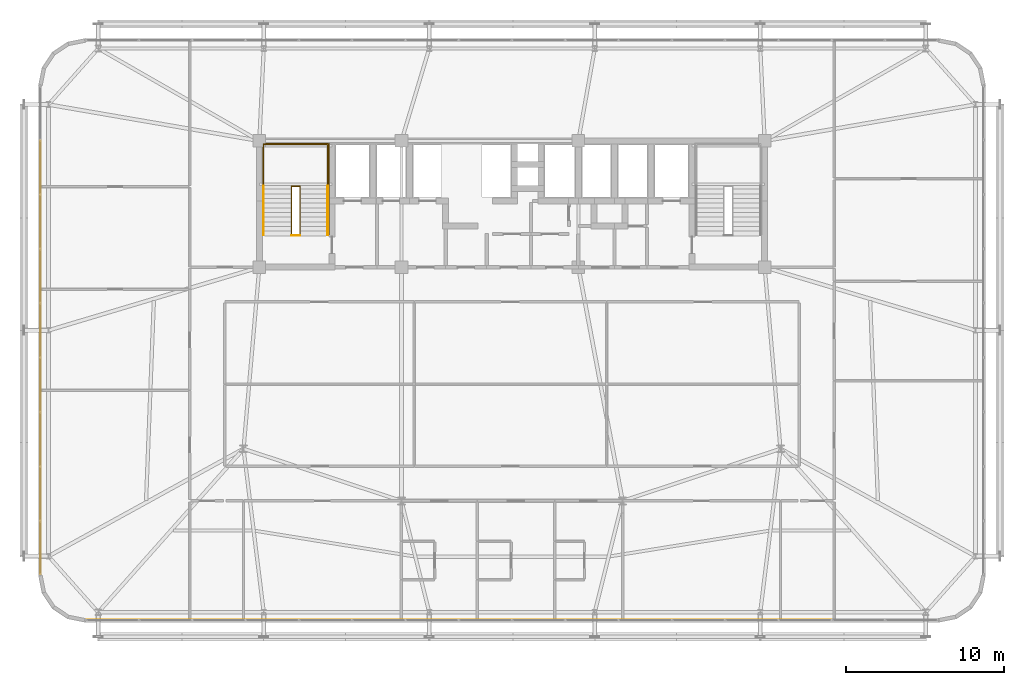
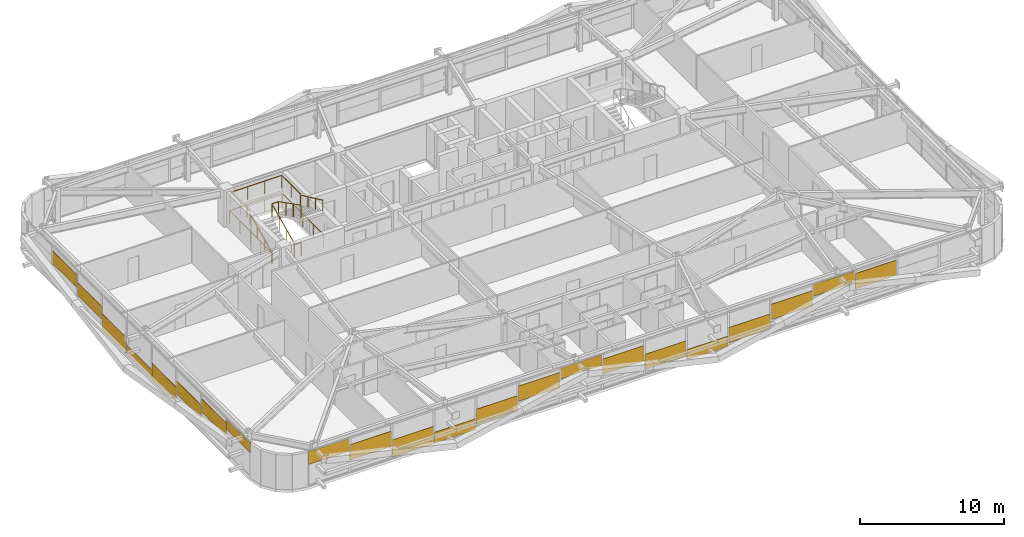
# One storey, part 57 of 59: 22 coverings, 6 railings.
"""IFC4 building model written with IfcOpenShell, lengths in metres."""

from ifc_helpers import new_model, si_unit, direction, frame, origin, origin_2d, place, context, subcontext, project, spatial, rectangle, extrude, source, transform, mapped, material, layer, layer_set, type_object, element, save


model = new_model("IFC4")

# Units and contexts
model_context = context("Model", 3, precision=1e-05, world=origin(), true_north=direction((0.0, 1.0)))
body_context = subcontext(model_context, "Body", "Model", "MODEL_VIEW")
ifc_project = project(units=[si_unit("LENGTHUNIT", "METRE"), si_unit("AREAUNIT", "SQUARE_METRE"), si_unit("VOLUMEUNIT", "CUBIC_METRE"), si_unit("PLANEANGLEUNIT", "RADIAN"), si_unit("MASSUNIT", "GRAM", prefix="KILO")], contexts=[model_context])

# Site, building, storey
site_placement = place(None, origin())
site = spatial("IfcSite", under=ifc_project, at=site_placement, CompositionType="ELEMENT")
building_placement = place(site_placement, origin())
building = spatial("IfcBuilding", under=site, at=building_placement, Name="Taldren Reach Tower", CompositionType="ELEMENT")
storey_placement = place(building_placement, frame((0.0, 0.0, 45.14990234375)))
storey = spatial("IfcBuildingStorey", under=building, at=storey_placement, Name="L13", CompositionType="ELEMENT", Elevation=45.14990234375)

# Railings
ifc_material_1 = material(Name="Steel Gr 350 (C350L0)", Category="steel")
ifc_layer_1 = layer(ifc_material_1, 0.050048828125)
ifc_layer_set_1 = layer_set([ifc_layer_1], Name="Steel Gr 350 (C350L0)")
railing_type_1 = type_object("IfcRailingType", Name="RL-STAIR-GR", PredefinedType="GUARDRAIL", material=ifc_layer_set_1)
railing_1_placement = place(storey_placement, frame((19.260009765625, 29.135009765625, 1.5751953125)))
element("IfcRailing", 1, at=railing_1_placement, inside=storey, type_object=railing_type_1, Name="Stair half-landing perimeter guard ST1-L13", PredefinedType="GUARDRAIL", context=body_context, shape_type="SweptSolid", body=[
    extrude(rectangle(XDim=0.047852, YDim=0.047852, at=origin_2d()), frame((0.0, 0.0, 1.09619140625), z_axis=(0.0, 1.0, 0.0), x_axis=(-1.0, 0.0, 0.0)), (0.0, 0.0, 1.0), 2.64501953125),
    extrude(rectangle(XDim=0.047852, YDim=0.047852, at=origin_2d()), frame((0.0, 2.64501953125, 1.09619140625), z_axis=(1.0, 0.0, 0.0), x_axis=(0.0, 1.0, 0.0)), (0.0, 0.0, 1.0), 4.080078125),
    extrude(rectangle(XDim=0.047852, YDim=0.047852, at=origin_2d()), frame((4.080078125, 2.64501953125, 1.09619140625), z_axis=(0.0, -1.0, 0.0), x_axis=(1.0, 0.0, 0.0)), (0.0, 0.0, 1.0), 2.64501953125),
    extrude(rectangle(XDim=0.041992, YDim=0.041992, at=origin_2d()), origin(), (0.0, 0.0, 1.0), 1.072021484375),
    extrude(rectangle(XDim=0.041992, YDim=0.041992, at=origin_2d()), frame((0.0, 1.322509765625, 0.0)), (0.0, 0.0, 1.0), 1.072021484375),
    extrude(rectangle(XDim=0.041992, YDim=0.041992, at=origin_2d()), frame((0.0, 2.64501953125, 0.0)), (0.0, 0.0, 1.0), 1.072021484375),
    extrude(rectangle(XDim=0.041992, YDim=0.041992, at=origin_2d()), frame((1.360107421875, 2.64501953125, 0.0)), (0.0, 0.0, 1.0), 1.072021484375),
    extrude(rectangle(XDim=0.041992, YDim=0.041992, at=origin_2d()), frame((2.719970703125, 2.64501953125, 0.0)), (0.0, 0.0, 1.0), 1.072021484375),
    extrude(rectangle(XDim=0.041992, YDim=0.041992, at=origin_2d()), frame((4.080078125, 2.64501953125, 0.0)), (0.0, 0.0, 1.0), 1.072021484375),
    extrude(rectangle(XDim=0.041992, YDim=0.041992, at=origin_2d()), frame((4.080078125, 1.322509765625, 0.0)), (0.0, 0.0, 1.0), 1.072021484375),
    extrude(rectangle(XDim=0.041992, YDim=0.041992, at=origin_2d()), frame((4.080078125, 0.0, 0.0)), (0.0, 0.0, 1.0), 1.072021484375),
])
railing_2_placement = place(storey_placement, frame((21.030029296875, 26.050048828125, 0.13134765625)))
element("IfcRailing", 2, at=railing_2_placement, inside=storey, type_object=railing_type_1, Name="Stairwell inner guard ST1-L13", PredefinedType="GUARDRAIL", context=body_context, shape_type="SweptSolid", body=[
    extrude(rectangle(XDim=0.047852, YDim=0.047852, at=origin_2d()), frame((0.0, 0.0, 1.09619140625), z_axis=(0.0, 0.905710134349, 0.423897573167), x_axis=(-1.0, 0.0, 0.0)), (0.0, 0.0, 1.0), 3.406005859375),
    extrude(rectangle(XDim=0.047852, YDim=0.047852, at=origin_2d()), frame((0.0, 3.0849609375, 2.5400390625), z_axis=(1.0, 0.0, 0.0), x_axis=(0.0, 1.0, 0.0)), (0.0, 0.0, 1.0), 0.5400390625),
    extrude(rectangle(XDim=0.047852, YDim=0.047852, at=origin_2d()), frame((0.5400390625, 3.0849609375, 2.5400390625), z_axis=(0.0, -0.890645957773, 0.45469745755), x_axis=(1.0, 0.0, 0.0)), (0.0, 0.0, 1.0), 3.463623046875),
    extrude(rectangle(XDim=0.041992, YDim=0.041992, at=origin_2d()), origin(), (0.0, 0.0, 1.0), 1.072021484375),
    extrude(rectangle(XDim=0.041992, YDim=0.041992, at=origin_2d()), frame((0.0, 1.0283203125, 0.481201171875)), (0.0, 0.0, 1.0), 1.072021484375),
    extrude(rectangle(XDim=0.041992, YDim=0.041992, at=origin_2d()), frame((0.0, 2.056640625, 0.962646484375)), (0.0, 0.0, 1.0), 1.072021484375),
    extrude(rectangle(XDim=0.041992, YDim=0.041992, at=origin_2d()), frame((0.0, 3.0849609375, 1.44384765625)), (0.0, 0.0, 1.0), 1.072021484375),
    extrude(rectangle(XDim=0.041992, YDim=0.041992, at=origin_2d()), frame((0.5400390625, 3.0849609375, 1.44384765625)), (0.0, 0.0, 1.0), 1.072021484375),
    extrude(rectangle(XDim=0.041992, YDim=0.041992, at=origin_2d()), frame((0.5400390625, 2.056640625, 1.96875)), (0.0, 0.0, 1.0), 1.072021484375),
    extrude(rectangle(XDim=0.041992, YDim=0.041992, at=origin_2d()), frame((0.5400390625, 1.0283203125, 2.493896484375)), (0.0, 0.0, 1.0), 1.072021484375),
    extrude(rectangle(XDim=0.041992, YDim=0.041992, at=origin_2d()), frame((0.5400390625, 0.0, 3.018798828125)), (0.0, 0.0, 1.0), 1.072021484375),
])
railing_3_placement = place(storey_placement, frame((21.030029296875, 26.010009765625, 0.0)))
element("IfcRailing", 3, at=railing_3_placement, inside=storey, type_object=railing_type_1, Name="Stairwell landing slot guard ST1-L13", PredefinedType="GUARDRAIL", context=body_context, shape_type="SweptSolid", body=[
    extrude(rectangle(XDim=0.047852, YDim=0.047852, at=origin_2d()), frame((0.0, 0.0, 1.09619140625), z_axis=(1.0, 0.0, 0.0), x_axis=(0.0, 1.0, 0.0)), (0.0, 0.0, 1.0), 0.5400390625),
    extrude(rectangle(XDim=0.041992, YDim=0.041992, at=origin_2d()), origin(), (0.0, 0.0, 1.0), 1.072021484375),
    extrude(rectangle(XDim=0.041992, YDim=0.041992, at=origin_2d()), frame((0.5400390625, 0.0, 0.0)), (0.0, 0.0, 1.0), 1.072021484375),
])
railing_4_placement = place(storey_placement, frame((19.18994140625, 26.050048828125, 0.0)))
element("IfcRailing", 4, at=railing_4_placement, inside=storey, type_object=railing_type_1, Name="Stairwell floor opening guard ST1-L13", PredefinedType="GUARDRAIL", context=body_context, shape_type="SweptSolid", body=[
    extrude(rectangle(XDim=0.047852, YDim=0.047852, at=origin_2d()), frame((0.0, 0.0, 1.09619140625), z_axis=(0.0, 1.0, 0.0), x_axis=(-1.0, 0.0, 0.0)), (0.0, 0.0, 1.0), 5.800048828125),
    extrude(rectangle(XDim=0.047852, YDim=0.047852, at=origin_2d()), frame((0.0, 5.800048828125, 1.09619140625), z_axis=(1.0, 0.0, 0.0), x_axis=(0.0, 1.0, 0.0)), (0.0, 0.0, 1.0), 4.219970703125),
    extrude(rectangle(XDim=0.047852, YDim=0.047852, at=origin_2d()), frame((4.219970703125, 5.800048828125, 1.09619140625), z_axis=(0.0, -1.0, 0.0), x_axis=(1.0, 0.0, 0.0)), (0.0, 0.0, 1.0), 5.800048828125),
    extrude(rectangle(XDim=0.041992, YDim=0.041992, at=origin_2d()), origin(), (0.0, 0.0, 1.0), 1.072021484375),
    extrude(rectangle(XDim=0.041992, YDim=0.041992, at=origin_2d()), frame((0.0, 1.449951171875, 0.0)), (0.0, 0.0, 1.0), 1.072021484375),
    extrude(rectangle(XDim=0.041992, YDim=0.041992, at=origin_2d()), frame((0.0, 2.89990234375, 0.0)), (0.0, 0.0, 1.0), 1.072021484375),
    extrude(rectangle(XDim=0.041992, YDim=0.041992, at=origin_2d()), frame((0.0, 4.35009765625, 0.0)), (0.0, 0.0, 1.0), 1.072021484375),
    extrude(rectangle(XDim=0.041992, YDim=0.041992, at=origin_2d()), frame((0.0, 5.800048828125, 0.0)), (0.0, 0.0, 1.0), 1.072021484375),
    extrude(rectangle(XDim=0.041992, YDim=0.041992, at=origin_2d()), frame((1.40673828125, 5.800048828125, 0.0)), (0.0, 0.0, 1.0), 1.072021484375),
    extrude(rectangle(XDim=0.041992, YDim=0.041992, at=origin_2d()), frame((2.813232421875, 5.800048828125, 0.0)), (0.0, 0.0, 1.0), 1.072021484375),
    extrude(rectangle(XDim=0.041992, YDim=0.041992, at=origin_2d()), frame((4.219970703125, 5.800048828125, 0.0)), (0.0, 0.0, 1.0), 1.072021484375),
    extrude(rectangle(XDim=0.041992, YDim=0.041992, at=origin_2d()), frame((4.219970703125, 4.35009765625, 0.0)), (0.0, 0.0, 1.0), 1.072021484375),
    extrude(rectangle(XDim=0.041992, YDim=0.041992, at=origin_2d()), frame((4.219970703125, 2.89990234375, 0.0)), (0.0, 0.0, 1.0), 1.072021484375),
    extrude(rectangle(XDim=0.041992, YDim=0.041992, at=origin_2d()), frame((4.219970703125, 1.449951171875, 0.0)), (0.0, 0.0, 1.0), 1.072021484375),
    extrude(rectangle(XDim=0.041992, YDim=0.041992, at=origin_2d()), frame((4.219970703125, 0.0, 0.0)), (0.0, 0.0, 1.0), 1.072021484375),
])
ifc_material_2 = material(Name="Stainless Steel Gr 316", Category="steel")
ifc_layer_2 = layer(ifc_material_2, 0.048095703125)
ifc_layer_set_2 = layer_set([ifc_layer_2], Name="Stainless Steel Gr 316")
railing_type_2 = type_object("IfcRailingType", Name="RL-STAIR-HR", PredefinedType="HANDRAIL", material=ifc_layer_set_2)
railing_5_placement = place(storey_placement, frame((19.27001953125, 26.050048828125, 0.13134765625)))
element("IfcRailing", 5, at=railing_5_placement, inside=storey, type_object=railing_type_2, Name="Stair flight handrail ST1-L13-1", PredefinedType="HANDRAIL", context=body_context, shape_type="SweptSolid", body=[
    extrude(rectangle(XDim=0.047852, YDim=0.047852, at=origin_2d()), frame((0.0, 0.0, 0.89599609375), z_axis=(0.0, 0.905710134349, 0.423897573167), x_axis=(-1.0, 0.0, 0.0)), (0.0, 0.0, 1.0), 3.406005859375),
    extrude(rectangle(XDim=0.041992, YDim=0.041992, at=origin_2d()), origin(), (0.0, 0.0, 1.0), 0.871826171875),
    extrude(rectangle(XDim=0.041992, YDim=0.041992, at=origin_2d()), frame((0.0, 1.0283203125, 0.481201171875)), (0.0, 0.0, 1.0), 0.871826171875),
    extrude(rectangle(XDim=0.041992, YDim=0.041992, at=origin_2d()), frame((0.0, 2.056640625, 0.962646484375)), (0.0, 0.0, 1.0), 0.871826171875),
    extrude(rectangle(XDim=0.041992, YDim=0.041992, at=origin_2d()), frame((0.0, 3.0849609375, 1.44384765625)), (0.0, 0.0, 1.0), 0.871826171875),
])
railing_6_placement = place(storey_placement, frame((23.330078125, 29.135009765625, 1.706298828125)))
element("IfcRailing", 6, at=railing_6_placement, inside=storey, type_object=railing_type_2, Name="Stair flight handrail ST1-L13-2", PredefinedType="HANDRAIL", context=body_context, shape_type="SweptSolid", body=[
    extrude(rectangle(XDim=0.047852, YDim=0.047852, at=origin_2d()), frame((0.0, 0.0, 0.89599609375), z_axis=(0.0, -0.905710134349, 0.423897573167), x_axis=(1.0, 0.0, 0.0)), (0.0, 0.0, 1.0), 3.406005859375),
    extrude(rectangle(XDim=0.041992, YDim=0.041992, at=origin_2d()), origin(), (0.0, 0.0, 1.0), 0.871826171875),
    extrude(rectangle(XDim=0.041992, YDim=0.041992, at=origin_2d()), frame((0.0, -1.0283203125, 0.481201171875)), (0.0, 0.0, 1.0), 0.871826171875),
    extrude(rectangle(XDim=0.041992, YDim=0.041992, at=origin_2d()), frame((0.0, -2.056640625, 0.962646484375)), (0.0, 0.0, 1.0), 0.871826171875),
    extrude(rectangle(XDim=0.041992, YDim=0.041992, at=origin_2d()), frame((0.0, -3.0849609375, 1.44384765625)), (0.0, 0.0, 1.0), 0.871826171875),
])

# Coverings
ifc_material_3 = material(Name="Pale Champagne Fluoropolymer Aluminium Spandrel Cladding", Category="aluminium")
ifc_layer_3 = layer(ifc_material_3, 0.0439453125)
ifc_layer_set_3 = layer_set([ifc_layer_3], Name="Pale Champagne Fluoropolymer Aluminium Spandrel Cladding")
covering_type = type_object("IfcCoveringType", Name="CV-CLAD-044", PredefinedType="CLADDING", material=ifc_layer_set_3)
shared_shape_1 = source(origin(), body_context, "Body", "SweptSolid", [
    extrude(rectangle(XDim=3.277587890625, YDim=0.0439453125, at=origin_2d()), origin(), (0.0, 0.0, 1.0), 1.081298828125),
])
covering_1_placement = place(storey_placement, frame((9.703857421875, 1.639892578125, 1.7939453125), z_axis=(0.0, 0.0, 1.0), x_axis=(1.0, 0.0, 0.0)))
element("IfcCovering", 7, at=covering_1_placement, inside=storey, type_object=covering_type, Name="Diagrid closure cladding strip CW-2 panel 1.1 1", PredefinedType="CLADDING", context=body_context, shape_type="MappedRepresentation", body=[
    mapped(shared_shape_1, transform((0.0, 0.0, 0.0), scale=1.0)),
])
shared_shape_2 = source(origin(), body_context, "Body", "SweptSolid", [
    extrude(rectangle(XDim=3.31005859375, YDim=0.0439453125, at=origin_2d()), origin(), (0.0, 0.0, 1.0), 1.301025390625),
])
for number, where, z_axis, x_axis, name in (
    (8, (13.0625, 1.639892578125, 1.01123046875), (0.0, 0.0, 1.0), (1.0, 0.0, 0.0), "Diagrid closure cladding strip CW-2 panel 2.1 1"),
    (9, (23.1875, 1.639892578125, 0.4755859375), (0.0, 0.0, 1.0), (1.0, 0.0, 0.0), "Diagrid closure cladding strip CW-2 panel 5.1 1"),
    (10, (26.5625, 1.639892578125, 1.25830078125), (0.0, 0.0, 1.0), (1.0, 0.0, 0.0), "Diagrid closure cladding strip CW-2 panel 6.1 1"),
    (11, (33.3125, 1.639892578125, 1.17578125), (0.0, 0.0, 1.0), (1.0, 0.0, 0.0), "Diagrid closure cladding strip CW-2 panel 8.1 1"),
    (12, (36.6875, 1.639892578125, 0.39306640625), (0.0, 0.0, 1.0), (1.0, 0.0, 0.0), "Diagrid closure cladding strip CW-2 panel 9.1 1"),
    (13, (43.4375, 1.639892578125, 0.31103515625), (0.0, 0.0, 1.0), (1.0, 0.0, 0.0), "Diagrid closure cladding strip CW-2 panel 11.1 1"),
    (14, (46.8125, 1.639892578125, 1.09375), (0.0, 0.0, 1.0), (1.0, 0.0, 0.0), "Diagrid closure cladding strip CW-2 panel 12.1 1"),
    (15, (53.5625, 1.639892578125, 1.34033203125), (0.0, 0.0, 1.0), (1.0, 0.0, 0.0), "Diagrid closure cladding strip CW-2 panel 14.1 1"),
):
    element("IfcCovering", number, at=place(storey_placement, frame(where, z_axis=z_axis, x_axis=x_axis)), inside=storey, type_object=covering_type, Name=name, PredefinedType="CLADDING", context=body_context, shape_type="MappedRepresentation", body=[
        mapped(shared_shape_2, transform((0.0, 0.0, 0.0), scale=1.0)),
    ])
shared_shape_3 = source(origin(), body_context, "Body", "SweptSolid", [
    extrude(rectangle(XDim=3.31005859375, YDim=0.0439453125, at=origin_2d()), origin(), (0.0, 0.0, 1.0), 1.474609375),
])
covering_2_placement = place(storey_placement, frame((16.4375, 1.639892578125, 0.05517578125), z_axis=(0.0, 0.0, 1.0), x_axis=(1.0, 0.0, 0.0)))
element("IfcCovering", 16, at=covering_2_placement, inside=storey, type_object=covering_type, Name="Diagrid closure cladding strip CW-2 panel 3.1 1", PredefinedType="CLADDING", context=body_context, shape_type="MappedRepresentation", body=[
    mapped(shared_shape_3, transform((0.0, 0.0, 0.0), scale=1.0)),
])
shared_shape_4 = source(origin(), body_context, "Body", "SweptSolid", [
    extrude(rectangle(XDim=3.31005859375, YDim=0.0439453125, at=origin_2d()), origin(), (0.0, 0.0, 1.0), 0.93896484375),
])
covering_3_placement = place(storey_placement, frame((19.8125, 1.639892578125, 0.05517578125), z_axis=(0.0, 0.0, 1.0), x_axis=(1.0, 0.0, 0.0)))
element("IfcCovering", 17, at=covering_3_placement, inside=storey, type_object=covering_type, Name="Diagrid closure cladding strip CW-2 panel 4.1 1", PredefinedType="CLADDING", context=body_context, shape_type="MappedRepresentation", body=[
    mapped(shared_shape_4, transform((0.0, 0.0, 0.0), scale=1.0)),
])
shared_shape_5 = source(origin(), body_context, "Body", "SweptSolid", [
    extrude(rectangle(XDim=3.31005859375, YDim=0.0439453125, at=origin_2d()), origin(), (0.0, 0.0, 1.0), 0.916748046875),
])
covering_4_placement = place(storey_placement, frame((29.9375, 1.639892578125, 1.95849609375), z_axis=(0.0, 0.0, 1.0), x_axis=(1.0, 0.0, 0.0)))
element("IfcCovering", 18, at=covering_4_placement, inside=storey, type_object=covering_type, Name="Diagrid closure cladding strip CW-2 panel 7.1 1", PredefinedType="CLADDING", context=body_context, shape_type="MappedRepresentation", body=[
    mapped(shared_shape_5, transform((0.0, 0.0, 0.0), scale=1.0)),
])
shared_shape_6 = source(origin(), body_context, "Body", "SweptSolid", [
    extrude(rectangle(XDim=3.31005859375, YDim=0.0439453125, at=origin_2d()), origin(), (0.0, 0.0, 1.0), 0.856689453125),
])
covering_5_placement = place(storey_placement, frame((40.0625, 1.639892578125, 0.05517578125), z_axis=(0.0, 0.0, 1.0), x_axis=(1.0, 0.0, 0.0)))
element("IfcCovering", 19, at=covering_5_placement, inside=storey, type_object=covering_type, Name="Diagrid closure cladding strip CW-2 panel 10.1 1", PredefinedType="CLADDING", context=body_context, shape_type="MappedRepresentation", body=[
    mapped(shared_shape_6, transform((0.0, 0.0, 0.0), scale=1.0)),
])
shared_shape_7 = source(origin(), body_context, "Body", "SweptSolid", [
    extrude(rectangle(XDim=3.31005859375, YDim=0.0439453125, at=origin_2d()), origin(), (0.0, 0.0, 1.0), 0.9990234375),
])
covering_6_placement = place(storey_placement, frame((50.1875, 1.639892578125, 1.8759765625), z_axis=(0.0, 0.0, 1.0), x_axis=(1.0, 0.0, 0.0)))
element("IfcCovering", 20, at=covering_6_placement, inside=storey, type_object=covering_type, Name="Diagrid closure cladding strip CW-2 panel 13.1 1", PredefinedType="CLADDING", context=body_context, shape_type="MappedRepresentation", body=[
    mapped(shared_shape_7, transform((0.0, 0.0, 0.0), scale=1.0)),
])
shared_shape_8 = source(origin(), body_context, "Body", "SweptSolid", [
    extrude(rectangle(XDim=3.346923828125, YDim=0.0439453125, at=origin_2d()), origin(), (0.0, 0.0, 1.0), 0.864501953125),
])
covering_7_placement = place(storey_placement, frame((5.139892578125, 6.238525390625, 2.0107421875), z_axis=(0.0, 0.0, 1.0), x_axis=(0.0, -1.0, 0.0)))
element("IfcCovering", 21, at=covering_7_placement, inside=storey, type_object=covering_type, Name="Diagrid closure cladding strip CW-2 panel 9.1 1", PredefinedType="CLADDING", context=body_context, shape_type="MappedRepresentation", body=[
    mapped(shared_shape_8, transform((0.0, 0.0, 0.0), scale=1.0)),
])
shared_shape_9 = source(origin(), body_context, "Body", "SweptSolid", [
    extrude(rectangle(XDim=3.37939453125, YDim=0.0439453125, at=origin_2d()), origin(), (0.0, 0.0, 1.0), 1.1015625),
])
for number, where, z_axis, x_axis, name in (
    (22, (5.139892578125, 30.333251953125, 1.42529296875), (0.0, 0.0, 1.0), (0.0, -1.0, 0.0), "Diagrid closure cladding strip CW-2 panel 2.1 1"),
    (23, (5.139892578125, 26.888916015625, 0.83984375), (0.0, 0.0, 1.0), (0.0, -1.0, 0.0), "Diagrid closure cladding strip CW-2 panel 3.1 1"),
    (24, (5.139892578125, 13.111083984375, 0.83984375), (0.0, 0.0, 1.0), (0.0, -1.0, 0.0), "Diagrid closure cladding strip CW-2 panel 7.1 1"),
    (25, (5.139892578125, 9.666748046875, 1.42529296875), (0.0, 0.0, 1.0), (0.0, -1.0, 0.0), "Diagrid closure cladding strip CW-2 panel 8.1 1"),
):
    element("IfcCovering", number, at=place(storey_placement, frame(where, z_axis=z_axis, x_axis=x_axis)), inside=storey, type_object=covering_type, Name=name, PredefinedType="CLADDING", context=body_context, shape_type="MappedRepresentation", body=[
        mapped(shared_shape_9, transform((0.0, 0.0, 0.0), scale=1.0)),
    ])
shared_shape_10 = source(origin(), body_context, "Body", "SweptSolid", [
    extrude(rectangle(XDim=3.37939453125, YDim=0.0439453125, at=origin_2d()), origin(), (0.0, 0.0, 1.0), 1.301025390625),
])
for number, where, z_axis, x_axis, name in (
    (26, (5.139892578125, 23.4443359375, 0.05517578125), (0.0, 0.0, 1.0), (0.0, -1.0, 0.0), "Diagrid closure cladding strip CW-2 panel 4.1 1"),
    (27, (5.139892578125, 16.5556640625, 0.05517578125), (0.0, 0.0, 1.0), (0.0, -1.0, 0.0), "Diagrid closure cladding strip CW-2 panel 6.1 1"),
):
    element("IfcCovering", number, at=place(storey_placement, frame(where, z_axis=z_axis, x_axis=x_axis)), inside=storey, type_object=covering_type, Name=name, PredefinedType="CLADDING", context=body_context, shape_type="MappedRepresentation", body=[
        mapped(shared_shape_10, transform((0.0, 0.0, 0.0), scale=1.0)),
    ])
shared_shape_11 = source(origin(), body_context, "Body", "SweptSolid", [
    extrude(rectangle(XDim=3.37939453125, YDim=0.0439453125, at=origin_2d()), origin(), (0.0, 0.0, 1.0), 0.7158203125),
])
covering_8_placement = place(storey_placement, frame((5.139892578125, 20.0, 0.05517578125), z_axis=(0.0, 0.0, 1.0), x_axis=(0.0, -1.0, 0.0)))
element("IfcCovering", 28, at=covering_8_placement, inside=storey, type_object=covering_type, Name="Diagrid closure cladding strip CW-2 panel 5.1 1", PredefinedType="CLADDING", context=body_context, shape_type="MappedRepresentation", body=[
    mapped(shared_shape_11, transform((0.0, 0.0, 0.0), scale=1.0)),
])

save(model, "model.ifc")
